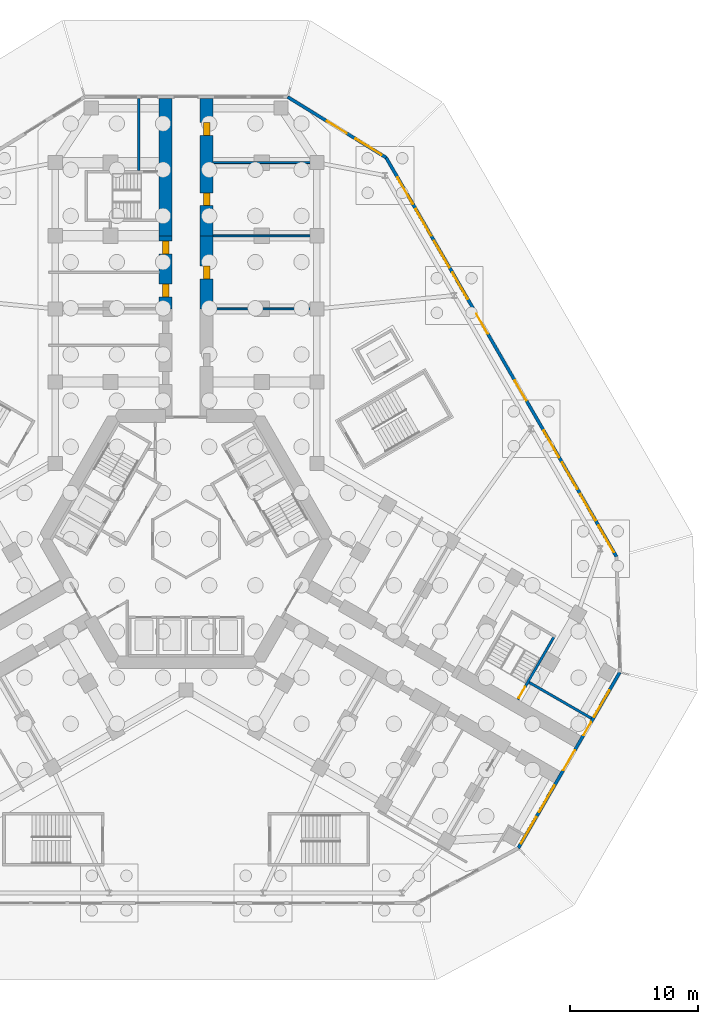
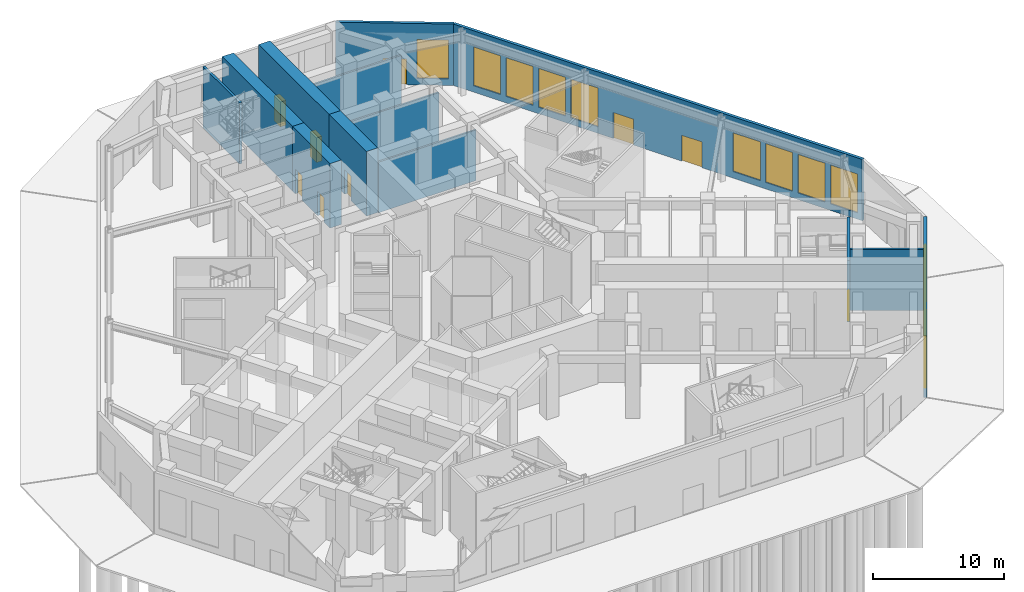
# One storey, part 10 of 16: 13 walls, 12 windows, 11 doors, 23 openings.
"""IFC4 building model written with IfcOpenShell, lengths in metres."""

import ifcopenshell
import ifcopenshell.guid

model = None  # the IFC model being written
_history = None  # IfcOwnerHistory: only IFC2X3 demands one
_inside = {}  # id of a spatial element -> (the spatial element, [elements in it])
_under = {}  # id of a project, library or spatial element -> (it, [spatial elements below it])
_declared = {}  # id of a project -> (the project, [libraries it declares])
_typed = {}  # id of a type object -> (the type object, [elements of that type])
_made_of = {}  # id of a material, layer set ... -> (it, [elements and type objects made of it])


def new_model(schema):
    """Start an empty IFC model of exactly this schema.

    Asked for "IFC4X3", IfcOpenShell would pick the latest addendum, in which some entities
    have other attributes; the version numbers below select the first issue.
    IFC2X3 requires an IfcOwnerHistory on every rooted entity: one is made here for all.
    """
    global model, _history
    if schema == "IFC4X3":
        model = ifcopenshell.file(schema_version=(4, 3, 0, 0))
    else:
        model = ifcopenshell.file(schema=schema)
    _inside.clear()
    _under.clear()
    _declared.clear()
    _typed.clear()
    _made_of.clear()
    _history = None
    if model.schema == "IFC2X3":
        org = make("IfcOrganization", Name="unknown")
        user = make(
            "IfcPersonAndOrganization",
            ThePerson=make("IfcPerson", FamilyName="unknown"),
            TheOrganization=org,
        )
        app = make(
            "IfcApplication",
            ApplicationDeveloper=org,
            Version="unknown",
            ApplicationFullName="unknown",
            ApplicationIdentifier="unknown",
        )
        _history = make(
            "IfcOwnerHistory",
            OwningUser=user,
            OwningApplication=app,
            ChangeAction="ADDED",
            CreationDate=0,
        )
    return model


def make(cls, **values):
    """One entity of the class cls with the attributes given. An attribute that is None is left unset."""
    return model.create_entity(
        cls, **{name: value for name, value in values.items() if value is not None}
    )


def rooted(cls, **values):
    """An entity with a GlobalId (a new one), such as an element, a storey or a relation."""
    return make(cls, GlobalId=ifcopenshell.guid.new(), OwnerHistory=_history, **values)


def si_unit(unit_type, name, prefix=None):
    """IfcSIUnit, for example si_unit("LENGTHUNIT", "METRE", prefix="MILLI")."""
    return make("IfcSIUnit", UnitType=unit_type, Prefix=prefix, Name=name)


def assignment(units):
    """IfcUnitAssignment: the units of a project."""
    return None if units is None else make("IfcUnitAssignment", Units=units)


def point(xyz):
    """IfcCartesianPoint."""
    return None if xyz is None else make("IfcCartesianPoint", Coordinates=xyz)


def direction(xyz):
    """IfcDirection."""
    return None if xyz is None else make("IfcDirection", DirectionRatios=xyz)


def frame(location, z_axis=None, x_axis=None):
    """IfcAxis2Placement3D, a coordinate frame: its origin and axes. An axis left out is left unset."""
    return make(
        "IfcAxis2Placement3D",
        Location=point(location),
        Axis=direction(z_axis),
        RefDirection=direction(x_axis),
    )


def frame_2d(location, x_axis=None):
    """IfcAxis2Placement2D, a coordinate frame in the plane: its origin and x axis."""
    return make(
        "IfcAxis2Placement2D", Location=point(location), RefDirection=direction(x_axis)
    )


def origin():
    """The frame at (0, 0, 0) with its axes left unset."""
    return frame((0.0, 0.0, 0.0))


def place(relative_to, where):
    """IfcLocalPlacement: puts the frame where relative to a parent placement (None: the world)."""
    return make(
        "IfcLocalPlacement", PlacementRelTo=relative_to, RelativePlacement=where
    )


def context(
    kind, dimensions, precision=None, world=None, true_north=None, identifier=None
):
    """IfcGeometricRepresentationContext, for example the 3D "Model" context."""
    return make(
        "IfcGeometricRepresentationContext",
        ContextIdentifier=identifier,
        ContextType=kind,
        CoordinateSpaceDimension=dimensions,
        Precision=precision,
        WorldCoordinateSystem=world,
        TrueNorth=true_north,
    )


def subcontext(parent, identifier, kind, view, scale=None):
    """IfcGeometricRepresentationSubContext, for example "Body" below "Model"."""
    return make(
        "IfcGeometricRepresentationSubContext",
        ContextIdentifier=identifier,
        ContextType=kind,
        ParentContext=parent,
        TargetScale=scale,
        TargetView=view,
    )


def project(units=None, contexts=None):
    """IfcProject with its units and contexts."""
    return rooted(
        "IfcProject",
        Name="project",
        RepresentationContexts=contexts,
        UnitsInContext=assignment(units),
    )


def spatial(cls, under=None, at=None, **own):
    """A site, building, storey or space (cls), placed at a placement, below another one or the project."""
    s = rooted(cls, ObjectPlacement=at, **own)
    if under is not None:
        _under.setdefault(under.id(), (under, []))[1].append(s)
    return s


def profile(cls, at=None, kind="AREA", **sizes):
    """A parametric profile (cls). Its sizes go by their IFC names, for example OverallWidth=200.0."""
    return make(cls, ProfileType=kind, Position=at, **sizes)


def rectangle(**sizes):
    """IfcRectangleProfileDef."""
    return profile("IfcRectangleProfileDef", **sizes)


def extrude(swept, where, along, depth):
    """IfcExtrudedAreaSolid: the profile swept, set in the frame where, extruded along a direction by depth."""
    return make(
        "IfcExtrudedAreaSolid",
        SweptArea=swept,
        Position=where,
        ExtrudedDirection=direction(along),
        Depth=depth,
    )


def shape(context_of_items, identifier, shape_type, items):
    """IfcShapeRepresentation: the items that make up one representation, for example the "Body"."""
    return make(
        "IfcShapeRepresentation",
        ContextOfItems=context_of_items,
        RepresentationIdentifier=identifier,
        RepresentationType=shape_type,
        Items=items,
    )


def material(Name=None, Category=None):
    """IfcMaterial."""
    return make("IfcMaterial", Name=Name, Category=Category)


def layer(
    of_material, thickness, ventilated=None, Name=None, Category=None, Priority=None
):
    """IfcMaterialLayer: one layer of a wall or slab, of a material (None: an air gap)."""
    return make(
        "IfcMaterialLayer",
        Material=of_material,
        LayerThickness=thickness,
        IsVentilated=ventilated,
        Name=Name,
        Category=Category,
        Priority=Priority,
    )


def layer_set(layers, Name=None):
    """IfcMaterialLayerSet."""
    return make("IfcMaterialLayerSet", MaterialLayers=layers, LayerSetName=Name)


def made_of(thing, what):
    """Note that an element or type object is made of a material, layer set ...; save() writes the relation."""
    if what is not None:
        _made_of.setdefault(what.id(), (what, []))[1].append(thing)
    return thing


def type_object(cls, material=None, **own):
    """A type object (cls), such as IfcWallType, which elements share."""
    return made_of(rooted(cls, **own), material)


def element(
    cls,
    number,
    at=None,
    inside=None,
    cuts=None,
    type_object=None,
    material=None,
    context=None,
    identifier="Body",
    shape_type=None,
    held_by="IfcProductDefinitionShape",
    body=None,
    shapes=None,
    **own,
):
    """One element of the class cls, such as IfcWall. Its Tag is "e" and its number.

    at: its placement. inside: the storey or other place that contains it. cuts: it is an
    opening in that element (IfcRelVoidsElement). A single representation is given by context,
    identifier, shape_type and body (its items); several are given by shapes. held_by: the class
    of the entity that holds the representations. save() writes the other relations.
    """
    e = rooted(cls, Tag="e%d" % number, ObjectPlacement=at, **own)
    if body is not None:
        shapes = [shape(context, identifier, shape_type, body)]
    if shapes is not None:
        e.Representation = make(held_by, Representations=shapes)
    if inside is not None:
        _inside.setdefault(inside.id(), (inside, []))[1].append(e)
    if cuts is not None:
        rooted(
            "IfcRelVoidsElement", RelatingBuildingElement=cuts, RelatedOpeningElement=e
        )
    if type_object is not None:
        _typed.setdefault(type_object.id(), (type_object, []))[1].append(e)
    return made_of(e, material)


def fill(opening, filler):
    """IfcRelFillsElement: the door or window that sits in an opening."""
    return rooted(
        "IfcRelFillsElement",
        RelatingOpeningElement=opening,
        RelatedBuildingElement=filler,
    )


def aggregate(whole, parts):
    """IfcRelAggregates: a whole, such as a stair, and the parts it consists of."""
    return rooted("IfcRelAggregates", RelatingObject=whole, RelatedObjects=parts)


def save(model, path):
    """Write the relations noted so far, then the file.

    IfcRelAggregates (storeys below a building ...), IfcRelContainedInSpatialStructure (elements
    in a storey), IfcRelDefinesByType, IfcRelAssociatesMaterial and IfcRelDeclares: one each for
    every whole, place, type object, material and project.
    """
    for whole, parts in _under.values():
        aggregate(whole, parts)
    for where, things in _inside.values():
        rooted(
            "IfcRelContainedInSpatialStructure",
            RelatedElements=things,
            RelatingStructure=where,
        )
    for kind, things in _typed.values():
        rooted("IfcRelDefinesByType", RelatedObjects=things, RelatingType=kind)
    for what, things in _made_of.values():
        rooted("IfcRelAssociatesMaterial", RelatedObjects=things, RelatingMaterial=what)
    for by, libraries in _declared.values():
        rooted("IfcRelDeclares", RelatingContext=by, RelatedDefinitions=libraries)
    model.write(path)


model = new_model("IFC4")

# Units and contexts
model_context = context("Model", 3, precision=1e-05, world=origin(), true_north=direction((0.0, 1.0)))
body_context = subcontext(model_context, "Body", "Model", "MODEL_VIEW")
ifc_project = project(units=[si_unit("LENGTHUNIT", "METRE"), si_unit("AREAUNIT", "SQUARE_METRE"), si_unit("VOLUMEUNIT", "CUBIC_METRE"), si_unit("PLANEANGLEUNIT", "RADIAN"), si_unit("MASSUNIT", "GRAM", prefix="KILO")], contexts=[model_context])

# Site, building, storey
site_placement = place(None, origin())
site = spatial("IfcSite", under=ifc_project, at=site_placement, CompositionType="ELEMENT")
building_placement = place(site_placement, origin())
building = spatial("IfcBuilding", under=site, at=building_placement, Name="Kosmar Iwan School Tower", CompositionType="ELEMENT")
storey_placement = place(building_placement, origin())
storey = spatial("IfcBuildingStorey", under=building, at=storey_placement, Name="L00", CompositionType="ELEMENT", Elevation=0.0)

# Wall, openings, doors
ifc_material_1 = material(Name="Concrete C50/60", Category="concrete")
ifc_layer_1 = layer(ifc_material_1, 1.0)
ifc_layer_set_1 = layer_set([ifc_layer_1], Name="Corridor buttress wall 1000")
wall_type_1 = type_object("IfcWallType", Name="Corridor buttress wall 1000", PredefinedType="SHEAR", material=ifc_layer_set_1)
wall_1_placement = place(storey_placement, frame((-1.60009765625, 17.949951171875, 0.0), z_axis=(0.0, 0.0, 1.0), x_axis=(0.0, 1.0, 0.0)))
wall_1 = element("IfcWall", 1, at=wall_1_placement, inside=storey, type_object=wall_type_1, Name="Corridor wall AL bay 2", PredefinedType="SHEAR", context=body_context, shape_type="SweptSolid", body=[
    extrude(rectangle(XDim=5.699951171875, YDim=1.0, at=frame_2d((2.85009765625, 0.0))), origin(), (0.0, 0.0, 1.0), 6.0),
])
opening_1_placement = place(wall_1_placement, frame((0.925048828125, 0.0, 0.0)))
opening_1 = element("IfcOpeningElement", 2, at=opening_1_placement, cuts=wall_1, Name="Opening D4", PredefinedType="OPENING", context=body_context, shape_type="SweptSolid", body=[
    extrude(rectangle(XDim=1.0, YDim=2.300048828125, at=frame_2d((0.5, 1.14990234375))), frame((0.0, 0.511962890625, 0.0), z_axis=(0.0, -1.0, 0.0), x_axis=(1.0, 0.0, 0.0)), (0.0, 0.0, 1.0), 1.02392578125),
])
opening_2_placement = place(wall_1_placement, frame((4.27490234375, 0.0, 0.0)))
opening_2 = element("IfcOpeningElement", 3, at=opening_2_placement, cuts=wall_1, Name="Opening D4", PredefinedType="OPENING", context=body_context, shape_type="SweptSolid", body=[
    extrude(rectangle(XDim=1.0, YDim=2.300048828125, at=frame_2d((0.5, 1.14990234375))), frame((0.0, 0.511962890625, 0.0), z_axis=(0.0, -1.0, 0.0), x_axis=(1.0, 0.0, 0.0)), (0.0, 0.0, 1.0), 1.02392578125),
])
ifc_material_2 = material(Name="Timber fire door with vision panel", Category="wood")
door_type_1 = type_object("IfcDoorType", Name="Classroom door 1000x2300", OperationType="SINGLE_SWING_LEFT", PredefinedType="DOOR", material=ifc_material_2)
door_1_placement = place(opening_1_placement, origin())
door_1 = element("IfcDoor", 4, at=door_1_placement, inside=storey, type_object=door_type_1, Name="Fire control room door L00-AL3", OperationType="SINGLE_SWING_RIGHT", OverallHeight=2.300048828125, OverallWidth=1.0, PredefinedType="DOOR", context=body_context, shape_type="SweptSolid", body=[
    extrude(rectangle(XDim=1.0, YDim=2.300048828125, at=frame_2d((0.5, 1.14990234375))), frame((0.0, 0.25, 0.0), z_axis=(0.0, -1.0, 0.0), x_axis=(1.0, 0.0, 0.0)), (0.0, 0.0, 1.0), 0.5),
])
fill(opening_1, door_1)
door_2_placement = place(opening_2_placement, origin())
door_2 = element("IfcDoor", 5, at=door_2_placement, inside=storey, type_object=door_type_1, Name="Medical room door L00-AL4", OperationType="SINGLE_SWING_RIGHT", OverallHeight=2.300048828125, OverallWidth=1.0, PredefinedType="DOOR", context=body_context, shape_type="SweptSolid", body=[
    extrude(rectangle(XDim=1.0, YDim=2.300048828125, at=frame_2d((0.5, 1.14990234375))), frame((0.0, 0.25, 0.0), z_axis=(0.0, -1.0, 0.0), x_axis=(1.0, 0.0, 0.0)), (0.0, 0.0, 1.0), 0.5),
])
fill(opening_2, door_2)

# Wall
wall_2_placement = place(storey_placement, frame((-1.60009765625, 23.64990234375, 0.0), z_axis=(0.0, 0.0, 1.0), x_axis=(0.0, 1.0, 0.0)))
element("IfcWall", 6, at=wall_2_placement, inside=storey, type_object=wall_type_1, Name="Corridor wall AL bay 3", PredefinedType="SHEAR", context=body_context, shape_type="SweptSolid", body=[
    extrude(rectangle(XDim=10.7001953125, YDim=1.0, at=frame_2d((5.35009765625, 0.0))), origin(), (0.0, 0.0, 1.0), 6.0),
])

# Wall, opening, door
wall_3_placement = place(storey_placement, frame((1.60009765625, 17.949951171875, 0.0), z_axis=(0.0, 0.0, 1.0), x_axis=(0.0, 1.0, 0.0)))
wall_3 = element("IfcWall", 7, at=wall_3_placement, inside=storey, type_object=wall_type_1, Name="Corridor wall AR bay 2", PredefinedType="SHEAR", context=body_context, shape_type="SweptSolid", body=[
    extrude(rectangle(XDim=5.699951171875, YDim=1.0, at=frame_2d((2.85009765625, 0.0))), origin(), (0.0, 0.0, 1.0), 6.0),
])
opening_3_placement = place(wall_3_placement, frame((2.35009765625, 0.0, 0.0)))
opening_3 = element("IfcOpeningElement", 8, at=opening_3_placement, cuts=wall_3, Name="Opening D4", PredefinedType="OPENING", context=body_context, shape_type="SweptSolid", body=[
    extrude(rectangle(XDim=1.0, YDim=2.300048828125, at=frame_2d((0.5, 1.14990234375))), frame((0.0, 0.511962890625, 0.0), z_axis=(0.0, -1.0, 0.0), x_axis=(1.0, 0.0, 0.0)), (0.0, 0.0, 1.0), 1.02392578125),
])
door_3_placement = place(opening_3_placement, origin())
door_3 = element("IfcDoor", 9, at=door_3_placement, inside=storey, type_object=door_type_1, Name="Administration office door L00-AR2", OperationType="SINGLE_SWING_RIGHT", OverallHeight=2.300048828125, OverallWidth=1.0, PredefinedType="DOOR", context=body_context, shape_type="SweptSolid", body=[
    extrude(rectangle(XDim=1.0, YDim=2.300048828125, at=frame_2d((0.5, 1.14990234375))), frame((0.0, 0.25, 0.0), z_axis=(0.0, -1.0, 0.0), x_axis=(1.0, 0.0, 0.0)), (0.0, 0.0, 1.0), 0.5),
])
fill(opening_3, door_3)

# Wall, openings, doors
wall_4_placement = place(storey_placement, frame((1.60009765625, 23.64990234375, 0.0), z_axis=(0.0, 0.0, 1.0), x_axis=(0.0, 1.0, 0.0)))
wall_4 = element("IfcWall", 10, at=wall_4_placement, inside=storey, type_object=wall_type_1, Name="Corridor wall AR bay 3", PredefinedType="SHEAR", context=body_context, shape_type="SweptSolid", body=[
    extrude(rectangle(XDim=10.7001953125, YDim=1.0, at=frame_2d((5.35009765625, 0.0))), origin(), (0.0, 0.0, 1.0), 6.0),
])
opening_4_placement = place(wall_4_placement, frame((2.35009765625, 0.0, 0.0)))
opening_4 = element("IfcOpeningElement", 11, at=opening_4_placement, cuts=wall_4, Name="Opening D4", PredefinedType="OPENING", context=body_context, shape_type="SweptSolid", body=[
    extrude(rectangle(XDim=1.0, YDim=2.300048828125, at=frame_2d((0.5, 1.14990234375))), frame((0.0, 0.511962890625, 0.0), z_axis=(0.0, -1.0, 0.0), x_axis=(1.0, 0.0, 0.0)), (0.0, 0.0, 1.0), 1.02392578125),
])
opening_5_placement = place(wall_4_placement, frame((7.824951171875, 0.0, 0.0)))
opening_5 = element("IfcOpeningElement", 12, at=opening_5_placement, cuts=wall_4, Name="Opening D4", PredefinedType="OPENING", context=body_context, shape_type="SweptSolid", body=[
    extrude(rectangle(XDim=1.0, YDim=2.300048828125, at=frame_2d((0.5, 1.14990234375))), frame((0.0, 0.511962890625, 0.0), z_axis=(0.0, -1.0, 0.0), x_axis=(1.0, 0.0, 0.0)), (0.0, 0.0, 1.0), 1.02392578125),
])
door_4_placement = place(opening_4_placement, origin())
door_4 = element("IfcDoor", 13, at=door_4_placement, inside=storey, type_object=door_type_1, Name="Security office door L00-AR3", OperationType="SINGLE_SWING_LEFT", OverallHeight=2.300048828125, OverallWidth=1.0, PredefinedType="DOOR", context=body_context, shape_type="SweptSolid", body=[
    extrude(rectangle(XDim=1.0, YDim=2.300048828125, at=frame_2d((0.5, 1.14990234375))), frame((0.0, 0.25, 0.0), z_axis=(0.0, -1.0, 0.0), x_axis=(1.0, 0.0, 0.0)), (0.0, 0.0, 1.0), 0.5),
])
fill(opening_4, door_4)
door_5_placement = place(opening_5_placement, origin())
door_5 = element("IfcDoor", 14, at=door_5_placement, inside=storey, type_object=door_type_1, Name="Cloakroom door L00-AR4", OperationType="SINGLE_SWING_RIGHT", OverallHeight=2.300048828125, OverallWidth=1.0, PredefinedType="DOOR", context=body_context, shape_type="SweptSolid", body=[
    extrude(rectangle(XDim=1.0, YDim=2.300048828125, at=frame_2d((0.5, 1.14990234375))), frame((0.0, 0.25, 0.0), z_axis=(0.0, -1.0, 0.0), x_axis=(1.0, 0.0, 0.0)), (0.0, 0.0, 1.0), 0.5),
])
fill(opening_5, door_5)

# Wall, openings, doors, windows
ifc_material_3 = material(Name="Black steel framed glazed screen", Category="steel")
ifc_layer_2 = layer(ifc_material_3, 0.25)
ifc_layer_set_2 = layer_set([ifc_layer_2], Name="Entrance screen wall 250")
wall_type_2 = type_object("IfcWallType", Name="Entrance screen wall 250", PredefinedType="SOLIDWALL", material=ifc_layer_set_2)
wall_5_placement = place(storey_placement, frame((33.5576171875, -1.37353515625, 0.0), z_axis=(0.0, 0.0, 1.0), x_axis=(-0.499998456576, 0.866026294879, 0.0)))
wall_5 = element("IfcWall", 15, at=wall_5_placement, inside=storey, type_object=wall_type_2, Name="Entrance screen L00 L00-F04", PredefinedType="SOLIDWALL", context=body_context, shape_type="SweptSolid", body=[
    extrude(rectangle(XDim=35.9365234375, YDim=0.25, at=frame_2d((17.96826171875, 0.0))), origin(), (0.0, 0.0, 1.0), 5.699951171875),
])
opening_6_placement = place(wall_5_placement, frame((14.068359375, 0.0, 0.0)))
opening_6 = element("IfcOpeningElement", 16, at=opening_6_placement, cuts=wall_5, Name="Opening D10", PredefinedType="OPENING", context=body_context, shape_type="SweptSolid", body=[
    extrude(rectangle(XDim=1.800048828125, YDim=2.39990234375, at=frame_2d((0.89990234375, 1.199951171875))), frame((0.0, 0.136962890625, 0.0), z_axis=(0.0, -1.0, 0.0), x_axis=(1.0, 0.0, 0.0)), (0.0, 0.0, 1.0), 0.27392578125),
])
opening_7_placement = place(wall_5_placement, frame((20.068359375, 0.0, 0.0)))
opening_7 = element("IfcOpeningElement", 17, at=opening_7_placement, cuts=wall_5, Name="Opening D10", PredefinedType="OPENING", context=body_context, shape_type="SweptSolid", body=[
    extrude(rectangle(XDim=1.800048828125, YDim=2.39990234375, at=frame_2d((0.89990234375, 1.199951171875))), frame((0.0, 0.136962890625, 0.0), z_axis=(0.0, -1.0, 0.0), x_axis=(1.0, 0.0, 0.0)), (0.0, 0.0, 1.0), 0.27392578125),
])
opening_8_placement = place(wall_5_placement, frame((0.39990234375, 0.0, 0.60009765625)))
opening_8 = element("IfcOpeningElement", 18, at=opening_8_placement, cuts=wall_5, Name="Opening W3", PredefinedType="OPENING", context=body_context, shape_type="SweptSolid", body=[
    extrude(rectangle(XDim=2.39990234375, YDim=3.60009765625, at=frame_2d((1.199951171875, 1.800048828125))), frame((0.0, 0.136962890625, 0.0), z_axis=(0.0, -1.0, 0.0), x_axis=(1.0, 0.0, 0.0)), (0.0, 0.0, 1.0), 0.27392578125),
])
opening_9_placement = place(wall_5_placement, frame((3.25, 0.0, 0.60009765625)))
opening_9 = element("IfcOpeningElement", 19, at=opening_9_placement, cuts=wall_5, Name="Opening W3", PredefinedType="OPENING", context=body_context, shape_type="SweptSolid", body=[
    extrude(rectangle(XDim=2.39990234375, YDim=3.60009765625, at=frame_2d((1.199951171875, 1.800048828125))), frame((0.0, 0.136962890625, 0.0), z_axis=(0.0, -1.0, 0.0), x_axis=(1.0, 0.0, 0.0)), (0.0, 0.0, 1.0), 0.27392578125),
])
opening_10_placement = place(wall_5_placement, frame((6.10009765625, 0.0, 0.60009765625)))
opening_10 = element("IfcOpeningElement", 20, at=opening_10_placement, cuts=wall_5, Name="Opening W3", PredefinedType="OPENING", context=body_context, shape_type="SweptSolid", body=[
    extrude(rectangle(XDim=2.39990234375, YDim=3.60009765625, at=frame_2d((1.199951171875, 1.800048828125))), frame((0.0, 0.136962890625, 0.0), z_axis=(0.0, -1.0, 0.0), x_axis=(1.0, 0.0, 0.0)), (0.0, 0.0, 1.0), 0.27392578125),
])
opening_11_placement = place(wall_5_placement, frame((8.949951171875, 0.0, 0.60009765625)))
opening_11 = element("IfcOpeningElement", 21, at=opening_11_placement, cuts=wall_5, Name="Opening W3", PredefinedType="OPENING", context=body_context, shape_type="SweptSolid", body=[
    extrude(rectangle(XDim=2.39990234375, YDim=3.60009765625, at=frame_2d((1.199951171875, 1.800048828125))), frame((0.0, 0.136962890625, 0.0), z_axis=(0.0, -1.0, 0.0), x_axis=(1.0, 0.0, 0.0)), (0.0, 0.0, 1.0), 0.27392578125),
])
opening_12_placement = place(wall_5_placement, frame((23.199951171875, 0.0, 0.60009765625)))
opening_12 = element("IfcOpeningElement", 22, at=opening_12_placement, cuts=wall_5, Name="Opening W3", PredefinedType="OPENING", context=body_context, shape_type="SweptSolid", body=[
    extrude(rectangle(XDim=2.39990234375, YDim=3.60009765625, at=frame_2d((1.199951171875, 1.800048828125))), frame((0.0, 0.136962890625, 0.0), z_axis=(0.0, -1.0, 0.0), x_axis=(1.0, 0.0, 0.0)), (0.0, 0.0, 1.0), 0.27392578125),
])
opening_13_placement = place(wall_5_placement, frame((26.050048828125, 0.0, 0.60009765625)))
opening_13 = element("IfcOpeningElement", 23, at=opening_13_placement, cuts=wall_5, Name="Opening W3", PredefinedType="OPENING", context=body_context, shape_type="SweptSolid", body=[
    extrude(rectangle(XDim=2.39990234375, YDim=3.60009765625, at=frame_2d((1.199951171875, 1.800048828125))), frame((0.0, 0.136962890625, 0.0), z_axis=(0.0, -1.0, 0.0), x_axis=(1.0, 0.0, 0.0)), (0.0, 0.0, 1.0), 0.27392578125),
])
opening_14_placement = place(wall_5_placement, frame((28.89990234375, 0.0, 0.60009765625)))
opening_14 = element("IfcOpeningElement", 24, at=opening_14_placement, cuts=wall_5, Name="Opening W3", PredefinedType="OPENING", context=body_context, shape_type="SweptSolid", body=[
    extrude(rectangle(XDim=2.39990234375, YDim=3.60009765625, at=frame_2d((1.199951171875, 1.800048828125))), frame((0.0, 0.136962890625, 0.0), z_axis=(0.0, -1.0, 0.0), x_axis=(1.0, 0.0, 0.0)), (0.0, 0.0, 1.0), 0.27392578125),
])
opening_15_placement = place(wall_5_placement, frame((31.75, 0.0, 0.60009765625)))
opening_15 = element("IfcOpeningElement", 25, at=opening_15_placement, cuts=wall_5, Name="Opening W3", PredefinedType="OPENING", context=body_context, shape_type="SweptSolid", body=[
    extrude(rectangle(XDim=2.39990234375, YDim=3.60009765625, at=frame_2d((1.199951171875, 1.800048828125))), frame((0.0, 0.136962890625, 0.0), z_axis=(0.0, -1.0, 0.0), x_axis=(1.0, 0.0, 0.0)), (0.0, 0.0, 1.0), 0.27392578125),
])
ifc_material_4 = material(Name="Black steel framed glazed door", Category="steel")
door_type_2 = type_object("IfcDoorType", Name="Entrance door pair 1800x2400", OperationType="DOUBLE_DOOR_SINGLE_SWING", PredefinedType="DOOR", material=ifc_material_4)
door_6_placement = place(opening_6_placement, frame((1.800048828125, 0.0, 0.0), z_axis=(0.0, 0.0, 1.0), x_axis=(-1.0, 0.0, 0.0)))
door_6 = element("IfcDoor", 26, at=door_6_placement, inside=storey, type_object=door_type_2, Name="Entrance doors L00-F04 1", OperationType="DOUBLE_DOOR_SINGLE_SWING", OverallHeight=2.39990234375, OverallWidth=1.800048828125, PredefinedType="DOOR", context=body_context, shape_type="SweptSolid", body=[
    extrude(rectangle(XDim=1.800048828125, YDim=2.39990234375, at=frame_2d((0.89990234375, 1.199951171875))), frame((0.0, 0.02490234375, 0.0), z_axis=(0.0, -1.0, 0.0), x_axis=(1.0, 0.0, 0.0)), (0.0, 0.0, 1.0), 0.050048828125),
])
fill(opening_6, door_6)
door_7_placement = place(opening_7_placement, frame((1.800048828125, 0.0, 0.0), z_axis=(0.0, 0.0, 1.0), x_axis=(-1.0, 0.0, 0.0)))
door_7 = element("IfcDoor", 27, at=door_7_placement, inside=storey, type_object=door_type_2, Name="Entrance doors L00-F04 2", OperationType="DOUBLE_DOOR_SINGLE_SWING", OverallHeight=2.39990234375, OverallWidth=1.800048828125, PredefinedType="DOOR", context=body_context, shape_type="SweptSolid", body=[
    extrude(rectangle(XDim=1.800048828125, YDim=2.39990234375, at=frame_2d((0.89990234375, 1.199951171875))), frame((0.0, 0.02490234375, 0.0), z_axis=(0.0, -1.0, 0.0), x_axis=(1.0, 0.0, 0.0)), (0.0, 0.0, 1.0), 0.050048828125),
])
fill(opening_7, door_7)
ifc_material_5 = material(Name="Black aluminium frame with dark triple glazing", Category="aluminium")
window_type = type_object("IfcWindowType", Name="Screen window 2400x3600", PartitioningType="SINGLE_PANEL", PredefinedType="WINDOW", material=ifc_material_5)
window_1_placement = place(opening_8_placement, origin())
window_1 = element("IfcWindow", 28, at=window_1_placement, inside=storey, type_object=window_type, Name="Screen window L00-F04", OverallHeight=3.60009765625, OverallWidth=2.39990234375, PartitioningType="SINGLE_PANEL", PredefinedType="WINDOW", context=body_context, shape_type="SweptSolid", body=[
    extrude(rectangle(XDim=2.39990234375, YDim=3.60009765625, at=frame_2d((1.199951171875, 1.800048828125))), frame((0.0, 0.030029296875, 0.0), z_axis=(0.0, -1.0, 0.0), x_axis=(1.0, 0.0, 0.0)), (0.0, 0.0, 1.0), 0.06005859375),
])
fill(opening_8, window_1)
window_2_placement = place(opening_9_placement, origin())
window_2 = element("IfcWindow", 29, at=window_2_placement, inside=storey, type_object=window_type, Name="Screen window L00-F04", OverallHeight=3.60009765625, OverallWidth=2.39990234375, PartitioningType="SINGLE_PANEL", PredefinedType="WINDOW", context=body_context, shape_type="SweptSolid", body=[
    extrude(rectangle(XDim=2.39990234375, YDim=3.60009765625, at=frame_2d((1.199951171875, 1.800048828125))), frame((0.0, 0.030029296875, 0.0), z_axis=(0.0, -1.0, 0.0), x_axis=(1.0, 0.0, 0.0)), (0.0, 0.0, 1.0), 0.06005859375),
])
fill(opening_9, window_2)
window_3_placement = place(opening_10_placement, origin())
window_3 = element("IfcWindow", 30, at=window_3_placement, inside=storey, type_object=window_type, Name="Screen window L00-F04", OverallHeight=3.60009765625, OverallWidth=2.39990234375, PartitioningType="SINGLE_PANEL", PredefinedType="WINDOW", context=body_context, shape_type="SweptSolid", body=[
    extrude(rectangle(XDim=2.39990234375, YDim=3.60009765625, at=frame_2d((1.199951171875, 1.800048828125))), frame((0.0, 0.030029296875, 0.0), z_axis=(0.0, -1.0, 0.0), x_axis=(1.0, 0.0, 0.0)), (0.0, 0.0, 1.0), 0.06005859375),
])
fill(opening_10, window_3)
window_4_placement = place(opening_11_placement, origin())
window_4 = element("IfcWindow", 31, at=window_4_placement, inside=storey, type_object=window_type, Name="Screen window L00-F04", OverallHeight=3.60009765625, OverallWidth=2.39990234375, PartitioningType="SINGLE_PANEL", PredefinedType="WINDOW", context=body_context, shape_type="SweptSolid", body=[
    extrude(rectangle(XDim=2.39990234375, YDim=3.60009765625, at=frame_2d((1.199951171875, 1.800048828125))), frame((0.0, 0.030029296875, 0.0), z_axis=(0.0, -1.0, 0.0), x_axis=(1.0, 0.0, 0.0)), (0.0, 0.0, 1.0), 0.06005859375),
])
fill(opening_11, window_4)
window_5_placement = place(opening_12_placement, origin())
window_5 = element("IfcWindow", 32, at=window_5_placement, inside=storey, type_object=window_type, Name="Screen window L00-F04", OverallHeight=3.60009765625, OverallWidth=2.39990234375, PartitioningType="SINGLE_PANEL", PredefinedType="WINDOW", context=body_context, shape_type="SweptSolid", body=[
    extrude(rectangle(XDim=2.39990234375, YDim=3.60009765625, at=frame_2d((1.199951171875, 1.800048828125))), frame((0.0, 0.030029296875, 0.0), z_axis=(0.0, -1.0, 0.0), x_axis=(1.0, 0.0, 0.0)), (0.0, 0.0, 1.0), 0.06005859375),
])
fill(opening_12, window_5)
window_6_placement = place(opening_13_placement, origin())
window_6 = element("IfcWindow", 33, at=window_6_placement, inside=storey, type_object=window_type, Name="Screen window L00-F04", OverallHeight=3.60009765625, OverallWidth=2.39990234375, PartitioningType="SINGLE_PANEL", PredefinedType="WINDOW", context=body_context, shape_type="SweptSolid", body=[
    extrude(rectangle(XDim=2.39990234375, YDim=3.60009765625, at=frame_2d((1.199951171875, 1.800048828125))), frame((0.0, 0.030029296875, 0.0), z_axis=(0.0, -1.0, 0.0), x_axis=(1.0, 0.0, 0.0)), (0.0, 0.0, 1.0), 0.06005859375),
])
fill(opening_13, window_6)
window_7_placement = place(opening_14_placement, origin())
window_7 = element("IfcWindow", 34, at=window_7_placement, inside=storey, type_object=window_type, Name="Screen window L00-F04", OverallHeight=3.60009765625, OverallWidth=2.39990234375, PartitioningType="SINGLE_PANEL", PredefinedType="WINDOW", context=body_context, shape_type="SweptSolid", body=[
    extrude(rectangle(XDim=2.39990234375, YDim=3.60009765625, at=frame_2d((1.199951171875, 1.800048828125))), frame((0.0, 0.030029296875, 0.0), z_axis=(0.0, -1.0, 0.0), x_axis=(1.0, 0.0, 0.0)), (0.0, 0.0, 1.0), 0.06005859375),
])
fill(opening_14, window_7)
window_8_placement = place(opening_15_placement, origin())
window_8 = element("IfcWindow", 35, at=window_8_placement, inside=storey, type_object=window_type, Name="Screen window L00-F04", OverallHeight=3.60009765625, OverallWidth=2.39990234375, PartitioningType="SINGLE_PANEL", PredefinedType="WINDOW", context=body_context, shape_type="SweptSolid", body=[
    extrude(rectangle(XDim=2.39990234375, YDim=3.60009765625, at=frame_2d((1.199951171875, 1.800048828125))), frame((0.0, 0.030029296875, 0.0), z_axis=(0.0, -1.0, 0.0), x_axis=(1.0, 0.0, 0.0)), (0.0, 0.0, 1.0), 0.06005859375),
])
fill(opening_15, window_8)

# Wall, openings, door, window
wall_6_placement = place(storey_placement, frame((15.58935546875, 29.74853515625, 0.0), z_axis=(0.0, 0.0, 1.0), x_axis=(-0.851479708041, 0.524387554004, 0.0)))
wall_6 = element("IfcWall", 36, at=wall_6_placement, inside=storey, type_object=wall_type_2, Name="Entrance screen L00 L00-F05", PredefinedType="SOLIDWALL", context=body_context, shape_type="SweptSolid", body=[
    extrude(rectangle(XDim=9.013427734375, YDim=0.25, at=frame_2d((4.5068359375, 0.0))), origin(), (0.0, 0.0, 1.0), 5.699951171875),
])
opening_16_placement = place(wall_6_placement, frame((3.606689453125, 0.0, 0.0)))
opening_16 = element("IfcOpeningElement", 37, at=opening_16_placement, cuts=wall_6, Name="Opening D10", PredefinedType="OPENING", context=body_context, shape_type="SweptSolid", body=[
    extrude(rectangle(XDim=1.800048828125, YDim=2.39990234375, at=frame_2d((0.89990234375, 1.199951171875))), frame((0.0, 0.136962890625, 0.0), z_axis=(0.0, -1.0, 0.0), x_axis=(1.0, 0.0, 0.0)), (0.0, 0.0, 1.0), 0.27392578125),
])
opening_17_placement = place(wall_6_placement, frame((0.39990234375, 0.0, 0.60009765625)))
opening_17 = element("IfcOpeningElement", 38, at=opening_17_placement, cuts=wall_6, Name="Opening W3", PredefinedType="OPENING", context=body_context, shape_type="SweptSolid", body=[
    extrude(rectangle(XDim=2.39990234375, YDim=3.60009765625, at=frame_2d((1.199951171875, 1.800048828125))), frame((0.0, 0.136962890625, 0.0), z_axis=(0.0, -1.0, 0.0), x_axis=(1.0, 0.0, 0.0)), (0.0, 0.0, 1.0), 0.27392578125),
])
door_8_placement = place(opening_16_placement, frame((1.800048828125, 0.0, 0.0), z_axis=(0.0, 0.0, 1.0), x_axis=(-1.0, 0.0, 0.0)))
door_8 = element("IfcDoor", 39, at=door_8_placement, inside=storey, type_object=door_type_2, Name="Entrance doors L00-F05 1", OperationType="DOUBLE_DOOR_SINGLE_SWING", OverallHeight=2.39990234375, OverallWidth=1.800048828125, PredefinedType="DOOR", context=body_context, shape_type="SweptSolid", body=[
    extrude(rectangle(XDim=1.800048828125, YDim=2.39990234375, at=frame_2d((0.89990234375, 1.199951171875))), frame((0.0, 0.02490234375, 0.0), z_axis=(0.0, -1.0, 0.0), x_axis=(1.0, 0.0, 0.0)), (0.0, 0.0, 1.0), 0.050048828125),
])
fill(opening_16, door_8)
window_9_placement = place(opening_17_placement, origin())
window_9 = element("IfcWindow", 40, at=window_9_placement, inside=storey, type_object=window_type, Name="Screen window L00-F05", OverallHeight=3.60009765625, OverallWidth=2.39990234375, PartitioningType="SINGLE_PANEL", PredefinedType="WINDOW", context=body_context, shape_type="SweptSolid", body=[
    extrude(rectangle(XDim=2.39990234375, YDim=3.60009765625, at=frame_2d((1.199951171875, 1.800048828125))), frame((0.0, 0.030029296875, 0.0), z_axis=(0.0, -1.0, 0.0), x_axis=(1.0, 0.0, 0.0)), (0.0, 0.0, 1.0), 0.06005859375),
])
fill(opening_17, window_9)

# Wall, opening, door
ifc_material_6 = material(Name="Concrete C35/45", Category="concrete")
ifc_layer_3 = layer(ifc_material_6, 0.199951171875)
ifc_layer_set_3 = layer_set([ifc_layer_3], Name="Escape stair wall 200")
wall_type_3 = type_object("IfcWallType", Name="Escape stair wall 200", PredefinedType="SHEAR", material=ifc_layer_set_3)
wall_7_placement = place(storey_placement, frame((25.861572265625, -12.50634765625, 0.0), z_axis=(0.0, 0.0, 1.0), x_axis=(0.500018801468, 0.86601454848, 0.0)))
wall_7 = element("IfcWall", 41, at=wall_7_placement, inside=storey, type_object=wall_type_3, Name="Stair WS3 wall", PredefinedType="SHEAR", context=body_context, shape_type="SweptSolid", body=[
    extrude(rectangle(XDim=5.800048828125, YDim=0.199951171875, at=frame_2d((2.89990234375, 0.0))), origin(), (0.0, 0.0, 1.0), 5.679931640625),
])
opening_18_placement = place(wall_7_placement, frame((0.14990234375, 0.0, 0.0)))
opening_18 = element("IfcOpeningElement", 42, at=opening_18_placement, cuts=wall_7, Name="Opening D6", PredefinedType="OPENING", context=body_context, shape_type="SweptSolid", body=[
    extrude(rectangle(XDim=1.0, YDim=2.10009765625, at=frame_2d((0.5, 1.050048828125))), frame((0.0, 0.112060546875, 0.0), z_axis=(0.0, -1.0, 0.0), x_axis=(1.0, 0.0, 0.0)), (0.0, 0.0, 1.0), 0.223876953125),
])
ifc_material_7 = material(Name="Steel fire door", Category="steel")
door_type_3 = type_object("IfcDoorType", Name="Stair door 1000x2100", OperationType="SINGLE_SWING_LEFT", PredefinedType="DOOR", material=ifc_material_7)
door_9_placement = place(opening_18_placement, origin())
door_9 = element("IfcDoor", 43, at=door_9_placement, inside=storey, type_object=door_type_3, Name="Stair WS3 passage door L00", OperationType="SINGLE_SWING_LEFT", OverallHeight=2.10009765625, OverallWidth=1.0, PredefinedType="DOOR", context=body_context, shape_type="SweptSolid", body=[
    extrude(rectangle(XDim=1.0, YDim=2.10009765625, at=frame_2d((0.5, 1.050048828125))), frame((0.0, 0.02490234375, 0.0), z_axis=(0.0, -1.0, 0.0), x_axis=(1.0, 0.0, 0.0)), (0.0, 0.0, 1.0), 0.050048828125),
])
fill(opening_18, door_9)

# Walls
ifc_material_8 = material(Name="Concrete block masonry", Category="masonry")
ifc_layer_4 = layer(ifc_material_8, 0.199951171875)
ifc_layer_set_4 = layer_set([ifc_layer_4], Name="Fire lobby wall 200")
wall_type_4 = type_object("IfcWallType", Name="Fire lobby wall 200", PredefinedType="PARTITIONING", material=ifc_layer_set_4)
wall_8_placement = place(storey_placement, frame((-3.699951171875, 28.75, 0.0), z_axis=(0.0, 0.0, 1.0), x_axis=(0.0, 1.0, 0.0)))
element("IfcWall", 44, at=wall_8_placement, inside=storey, type_object=wall_type_4, Name="Stair WS1 exit passage wall", PredefinedType="PARTITIONING", context=body_context, shape_type="SweptSolid", body=[
    extrude(rectangle(XDim=5.60009765625, YDim=0.199951171875, at=frame_2d((2.800048828125, 0.0))), origin(), (0.0, 0.0, 1.0), 5.679931640625),
])
wall_9_placement = place(storey_placement, frame((26.748291015625, -11.170654296875, 0.0), z_axis=(0.0, 0.0, 1.0), x_axis=(0.866015695474, -0.500016814911, 0.0)))
element("IfcWall", 45, at=wall_9_placement, inside=storey, type_object=wall_type_4, Name="Stair WS3 exit passage wall", PredefinedType="PARTITIONING", context=body_context, shape_type="SweptSolid", body=[
    extrude(rectangle(XDim=5.599853515625, YDim=0.199951171875, at=frame_2d((2.7998046875, 0.0))), origin(), (0.0, 0.0, 1.0), 5.679931640625),
])

# Wall, openings, doors, windows
ifc_material_9 = material(Name="Black steel framed fire-resisting glazed screen", Category="steel")
ifc_layer_5 = layer(ifc_material_9, 0.25)
ifc_layer_set_5 = layer_set([ifc_layer_5], Name="Fire-resisting entrance screen wall 250")
wall_type_5 = type_object("IfcWallType", Name="Fire-resisting entrance screen wall 250", PredefinedType="SOLIDWALL", material=ifc_layer_set_5)
wall_10_placement = place(storey_placement, frame((25.89892578125, -24.091796875, 0.0), z_axis=(0.0, 0.0, 1.0), x_axis=(0.499997482717, 0.866026857134, 0.0)))
wall_10 = element("IfcWall", 46, at=wall_10_placement, inside=storey, type_object=wall_type_5, Name="Entrance screen L00 L00-F02", PredefinedType="SOLIDWALL", context=body_context, shape_type="SweptSolid", body=[
    extrude(rectangle(XDim=15.8291015625, YDim=0.25, at=frame_2d((7.91455078125, 0.0))), origin(), (0.0, 0.0, 1.0), 5.699951171875),
])
opening_19_placement = place(wall_10_placement, frame((7.0146484375, 0.0, 0.0)))
opening_19 = element("IfcOpeningElement", 47, at=opening_19_placement, cuts=wall_10, Name="Opening D10", PredefinedType="OPENING", context=body_context, shape_type="SweptSolid", body=[
    extrude(rectangle(XDim=1.800048828125, YDim=2.39990234375, at=frame_2d((0.89990234375, 1.199951171875))), frame((0.0, 0.136962890625, 0.0), z_axis=(0.0, -1.0, 0.0), x_axis=(1.0, 0.0, 0.0)), (0.0, 0.0, 1.0), 0.27392578125),
])
opening_20_placement = place(wall_10_placement, frame((0.39990234375, 0.0, 0.60009765625)))
opening_20 = element("IfcOpeningElement", 48, at=opening_20_placement, cuts=wall_10, Name="Opening W3", PredefinedType="OPENING", context=body_context, shape_type="SweptSolid", body=[
    extrude(rectangle(XDim=2.39990234375, YDim=3.60009765625, at=frame_2d((1.199951171875, 1.800048828125))), frame((0.0, 0.136962890625, 0.0), z_axis=(0.0, -1.0, 0.0), x_axis=(1.0, 0.0, 0.0)), (0.0, 0.0, 1.0), 0.27392578125),
])
opening_21_placement = place(wall_10_placement, frame((3.25, 0.0, 0.60009765625)))
opening_21 = element("IfcOpeningElement", 49, at=opening_21_placement, cuts=wall_10, Name="Opening W3", PredefinedType="OPENING", context=body_context, shape_type="SweptSolid", body=[
    extrude(rectangle(XDim=2.39990234375, YDim=3.60009765625, at=frame_2d((1.199951171875, 1.800048828125))), frame((0.0, 0.136962890625, 0.0), z_axis=(0.0, -1.0, 0.0), x_axis=(1.0, 0.0, 0.0)), (0.0, 0.0, 1.0), 0.27392578125),
])
opening_22_placement = place(wall_10_placement, frame((11.800048828125, 0.0, 0.60009765625)))
opening_22 = element("IfcOpeningElement", 50, at=opening_22_placement, cuts=wall_10, Name="Opening W3", PredefinedType="OPENING", context=body_context, shape_type="SweptSolid", body=[
    extrude(rectangle(XDim=2.39990234375, YDim=3.60009765625, at=frame_2d((1.199951171875, 1.800048828125))), frame((0.0, 0.136962890625, 0.0), z_axis=(0.0, -1.0, 0.0), x_axis=(1.0, 0.0, 0.0)), (0.0, 0.0, 1.0), 0.27392578125),
])
opening_23_placement = place(wall_10_placement, frame((10.16455078125, 0.0, 0.0)))
opening_23 = element("IfcOpeningElement", 51, at=opening_23_placement, cuts=wall_10, Name="Opening D16", PredefinedType="OPENING", context=body_context, shape_type="SweptSolid", body=[
    extrude(rectangle(XDim=1.199951171875, YDim=2.10009765625, at=frame_2d((0.60009765625, 1.050048828125))), frame((0.0, 0.136962890625, 0.0), z_axis=(0.0, -1.0, 0.0), x_axis=(1.0, 0.0, 0.0)), (0.0, 0.0, 1.0), 0.27392578125),
])
door_10_placement = place(opening_19_placement, frame((1.800048828125, 0.0, 0.0), z_axis=(0.0, 0.0, 1.0), x_axis=(-1.0, 0.0, 0.0)))
door_10 = element("IfcDoor", 52, at=door_10_placement, inside=storey, type_object=door_type_2, Name="Entrance doors L00-F02 1", OperationType="DOUBLE_DOOR_SINGLE_SWING", OverallHeight=2.39990234375, OverallWidth=1.800048828125, PredefinedType="DOOR", context=body_context, shape_type="SweptSolid", body=[
    extrude(rectangle(XDim=1.800048828125, YDim=2.39990234375, at=frame_2d((0.89990234375, 1.199951171875))), frame((0.0, 0.02490234375, 0.0), z_axis=(0.0, -1.0, 0.0), x_axis=(1.0, 0.0, 0.0)), (0.0, 0.0, 1.0), 0.050048828125),
])
fill(opening_19, door_10)
window_10_placement = place(opening_20_placement, origin())
window_10 = element("IfcWindow", 53, at=window_10_placement, inside=storey, type_object=window_type, Name="Screen window L00-F02", OverallHeight=3.60009765625, OverallWidth=2.39990234375, PartitioningType="SINGLE_PANEL", PredefinedType="WINDOW", context=body_context, shape_type="SweptSolid", body=[
    extrude(rectangle(XDim=2.39990234375, YDim=3.60009765625, at=frame_2d((1.199951171875, 1.800048828125))), frame((0.0, 0.030029296875, 0.0), z_axis=(0.0, -1.0, 0.0), x_axis=(1.0, 0.0, 0.0)), (0.0, 0.0, 1.0), 0.06005859375),
])
fill(opening_20, window_10)
window_11_placement = place(opening_21_placement, origin())
window_11 = element("IfcWindow", 54, at=window_11_placement, inside=storey, type_object=window_type, Name="Screen window L00-F02", OverallHeight=3.60009765625, OverallWidth=2.39990234375, PartitioningType="SINGLE_PANEL", PredefinedType="WINDOW", context=body_context, shape_type="SweptSolid", body=[
    extrude(rectangle(XDim=2.39990234375, YDim=3.60009765625, at=frame_2d((1.199951171875, 1.800048828125))), frame((0.0, 0.030029296875, 0.0), z_axis=(0.0, -1.0, 0.0), x_axis=(1.0, 0.0, 0.0)), (0.0, 0.0, 1.0), 0.06005859375),
])
fill(opening_21, window_11)
window_12_placement = place(opening_22_placement, origin())
window_12 = element("IfcWindow", 55, at=window_12_placement, inside=storey, type_object=window_type, Name="Screen window L00-F02", OverallHeight=3.60009765625, OverallWidth=2.39990234375, PartitioningType="SINGLE_PANEL", PredefinedType="WINDOW", context=body_context, shape_type="SweptSolid", body=[
    extrude(rectangle(XDim=2.39990234375, YDim=3.60009765625, at=frame_2d((1.199951171875, 1.800048828125))), frame((0.0, 0.030029296875, 0.0), z_axis=(0.0, -1.0, 0.0), x_axis=(1.0, 0.0, 0.0)), (0.0, 0.0, 1.0), 0.06005859375),
])
fill(opening_22, window_12)
ifc_material_10 = material(Name="Steel fire door with panic bar", Category="steel")
door_type_4 = type_object("IfcDoorType", Name="Stair exit door 1200x2100", OperationType="SINGLE_SWING_LEFT", PredefinedType="DOOR", material=ifc_material_10)
door_11_placement = place(opening_23_placement, frame((1.199951171875, 0.0, 0.0), z_axis=(0.0, 0.0, 1.0), x_axis=(-1.0, 0.0, 0.0)))
door_11 = element("IfcDoor", 56, at=door_11_placement, inside=storey, type_object=door_type_4, Name="Stair WS3 exit door", OperationType="SINGLE_SWING_LEFT", OverallHeight=2.10009765625, OverallWidth=1.199951171875, PredefinedType="DOOR", context=body_context, shape_type="SweptSolid", body=[
    extrude(rectangle(XDim=1.199951171875, YDim=2.10009765625, at=frame_2d((0.60009765625, 1.050048828125))), frame((0.0, 0.02490234375, 0.0), z_axis=(0.0, -1.0, 0.0), x_axis=(1.0, 0.0, 0.0)), (0.0, 0.0, 1.0), 0.050048828125),
])
fill(opening_23, door_11)

# Walls
ifc_material_11 = material(Name="Gypsum board on steel studs", Category="steel")
ifc_layer_6 = layer(ifc_material_11, 0.14990234375)
ifc_layer_set_6 = layer_set([ifc_layer_6], Name="School partition 150")
wall_type_6 = type_object("IfcWallType", Name="School partition 150", PredefinedType="PARTITIONING", material=ifc_layer_set_6)
for number, where, z_axis, x_axis, name in (
    (57, (2.10009765625, 17.949951171875, 0.0), (0.0, 0.0, 1.0), (1.0, 0.0, 0.0), "Partition L00-AR-X1"),
    (58, (2.10009765625, 23.64990234375, 0.0), (0.0, 0.0, 1.0), (1.0, 0.0, 0.0), "Partition L00-AR-X2"),
    (59, (2.10009765625, 29.35009765625, 0.0), (0.0, 0.0, 1.0), (1.0, 0.0, 0.0), "Partition L00-AR-X3"),
):
    element("IfcWall", number, at=place(storey_placement, frame(where, z_axis=z_axis, x_axis=x_axis)), inside=storey, type_object=wall_type_6, Name=name, PredefinedType="PARTITIONING", context=body_context, shape_type="SweptSolid", body=[
        extrude(rectangle(XDim=8.599853515625, YDim=0.14990234375, at=frame_2d((4.2998046875, 0.0))), origin(), (0.0, 0.0, 1.0), 4.699951171875),
    ])

save(model, "model.ifc")
